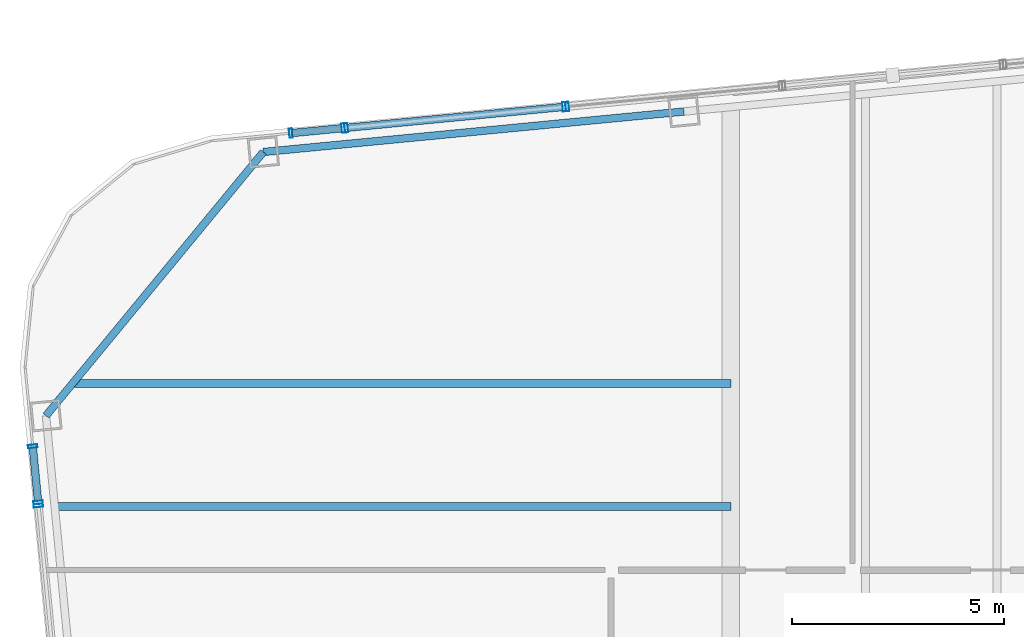
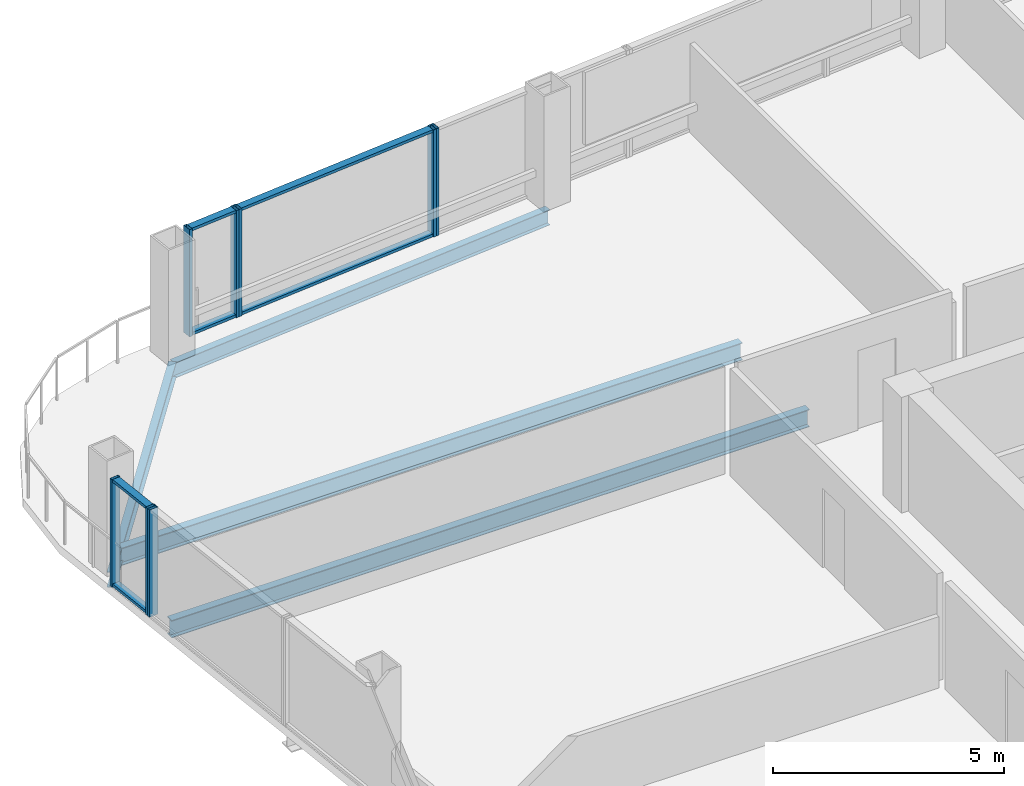
# One storey, part 17 of 29: 14 members, 4 beams, 5 elements without a shape of their own.
"""IFC4 building model written with IfcOpenShell, lengths in metres."""

import ifcopenshell
import ifcopenshell.guid

model = None  # the IFC model being written
_history = None  # IfcOwnerHistory: only IFC2X3 demands one
_inside = {}  # id of a spatial element -> (the spatial element, [elements in it])
_under = {}  # id of a project, library or spatial element -> (it, [spatial elements below it])
_declared = {}  # id of a project -> (the project, [libraries it declares])
_typed = {}  # id of a type object -> (the type object, [elements of that type])
_made_of = {}  # id of a material, layer set ... -> (it, [elements and type objects made of it])


def new_model(schema):
    """Start an empty IFC model of exactly this schema.

    Asked for "IFC4X3", IfcOpenShell would pick the latest addendum, in which some entities
    have other attributes; the version numbers below select the first issue.
    IFC2X3 requires an IfcOwnerHistory on every rooted entity: one is made here for all.
    """
    global model, _history
    if schema == "IFC4X3":
        model = ifcopenshell.file(schema_version=(4, 3, 0, 0))
    else:
        model = ifcopenshell.file(schema=schema)
    _inside.clear()
    _under.clear()
    _declared.clear()
    _typed.clear()
    _made_of.clear()
    _history = None
    if model.schema == "IFC2X3":
        org = make("IfcOrganization", Name="unknown")
        user = make(
            "IfcPersonAndOrganization",
            ThePerson=make("IfcPerson", FamilyName="unknown"),
            TheOrganization=org,
        )
        app = make(
            "IfcApplication",
            ApplicationDeveloper=org,
            Version="unknown",
            ApplicationFullName="unknown",
            ApplicationIdentifier="unknown",
        )
        _history = make(
            "IfcOwnerHistory",
            OwningUser=user,
            OwningApplication=app,
            ChangeAction="ADDED",
            CreationDate=0,
        )
    return model


def make(cls, **values):
    """One entity of the class cls with the attributes given. An attribute that is None is left unset."""
    return model.create_entity(
        cls, **{name: value for name, value in values.items() if value is not None}
    )


def rooted(cls, **values):
    """An entity with a GlobalId (a new one), such as an element, a storey or a relation."""
    return make(cls, GlobalId=ifcopenshell.guid.new(), OwnerHistory=_history, **values)


def si_unit(unit_type, name, prefix=None):
    """IfcSIUnit, for example si_unit("LENGTHUNIT", "METRE", prefix="MILLI")."""
    return make("IfcSIUnit", UnitType=unit_type, Prefix=prefix, Name=name)


def assignment(units):
    """IfcUnitAssignment: the units of a project."""
    return None if units is None else make("IfcUnitAssignment", Units=units)


def point(xyz):
    """IfcCartesianPoint."""
    return None if xyz is None else make("IfcCartesianPoint", Coordinates=xyz)


def direction(xyz):
    """IfcDirection."""
    return None if xyz is None else make("IfcDirection", DirectionRatios=xyz)


def frame(location, z_axis=None, x_axis=None):
    """IfcAxis2Placement3D, a coordinate frame: its origin and axes. An axis left out is left unset."""
    return make(
        "IfcAxis2Placement3D",
        Location=point(location),
        Axis=direction(z_axis),
        RefDirection=direction(x_axis),
    )


def frame_2d(location, x_axis=None):
    """IfcAxis2Placement2D, a coordinate frame in the plane: its origin and x axis."""
    return make(
        "IfcAxis2Placement2D", Location=point(location), RefDirection=direction(x_axis)
    )


def origin():
    """The frame at (0, 0, 0) with its axes left unset."""
    return frame((0.0, 0.0, 0.0))


def origin_2d():
    """The frame at (0, 0) in the plane with its x axis left unset."""
    return frame_2d((0.0, 0.0))


def place(relative_to, where):
    """IfcLocalPlacement: puts the frame where relative to a parent placement (None: the world)."""
    return make(
        "IfcLocalPlacement", PlacementRelTo=relative_to, RelativePlacement=where
    )


def context(
    kind, dimensions, precision=None, world=None, true_north=None, identifier=None
):
    """IfcGeometricRepresentationContext, for example the 3D "Model" context."""
    return make(
        "IfcGeometricRepresentationContext",
        ContextIdentifier=identifier,
        ContextType=kind,
        CoordinateSpaceDimension=dimensions,
        Precision=precision,
        WorldCoordinateSystem=world,
        TrueNorth=true_north,
    )


def subcontext(parent, identifier, kind, view, scale=None):
    """IfcGeometricRepresentationSubContext, for example "Body" below "Model"."""
    return make(
        "IfcGeometricRepresentationSubContext",
        ContextIdentifier=identifier,
        ContextType=kind,
        ParentContext=parent,
        TargetScale=scale,
        TargetView=view,
    )


def project(units=None, contexts=None):
    """IfcProject with its units and contexts."""
    return rooted(
        "IfcProject",
        Name="project",
        RepresentationContexts=contexts,
        UnitsInContext=assignment(units),
    )


def spatial(cls, under=None, at=None, **own):
    """A site, building, storey or space (cls), placed at a placement, below another one or the project."""
    s = rooted(cls, ObjectPlacement=at, **own)
    if under is not None:
        _under.setdefault(under.id(), (under, []))[1].append(s)
    return s


def profile(cls, at=None, kind="AREA", **sizes):
    """A parametric profile (cls). Its sizes go by their IFC names, for example OverallWidth=200.0."""
    return make(cls, ProfileType=kind, Position=at, **sizes)


def hollow_rectangle(**sizes):
    """IfcRectangleHollowProfileDef."""
    return profile("IfcRectangleHollowProfileDef", **sizes)


def i_section(**sizes):
    """IfcIShapeProfileDef."""
    return profile("IfcIShapeProfileDef", **sizes)


def extrude(swept, where, along, depth):
    """IfcExtrudedAreaSolid: the profile swept, set in the frame where, extruded along a direction by depth."""
    return make(
        "IfcExtrudedAreaSolid",
        SweptArea=swept,
        Position=where,
        ExtrudedDirection=direction(along),
        Depth=depth,
    )


def shape(context_of_items, identifier, shape_type, items):
    """IfcShapeRepresentation: the items that make up one representation, for example the "Body"."""
    return make(
        "IfcShapeRepresentation",
        ContextOfItems=context_of_items,
        RepresentationIdentifier=identifier,
        RepresentationType=shape_type,
        Items=items,
    )


def material(Name=None, Category=None):
    """IfcMaterial."""
    return make("IfcMaterial", Name=Name, Category=Category)


def layer(
    of_material, thickness, ventilated=None, Name=None, Category=None, Priority=None
):
    """IfcMaterialLayer: one layer of a wall or slab, of a material (None: an air gap)."""
    return make(
        "IfcMaterialLayer",
        Material=of_material,
        LayerThickness=thickness,
        IsVentilated=ventilated,
        Name=Name,
        Category=Category,
        Priority=Priority,
    )


def layer_set(layers, Name=None):
    """IfcMaterialLayerSet."""
    return make("IfcMaterialLayerSet", MaterialLayers=layers, LayerSetName=Name)


def material_profile(
    of_material, cross_section, Name=None, Category=None, Priority=None
):
    """IfcMaterialProfile: a cross section and its material."""
    return make(
        "IfcMaterialProfile",
        Name=Name,
        Material=of_material,
        Profile=cross_section,
        Priority=Priority,
        Category=Category,
    )


def profile_set(profiles, Name=None, composite=None):
    """IfcMaterialProfileSet."""
    return make(
        "IfcMaterialProfileSet",
        Name=Name,
        MaterialProfiles=profiles,
        CompositeProfile=composite,
    )


def made_of(thing, what):
    """Note that an element or type object is made of a material, layer set ...; save() writes the relation."""
    if what is not None:
        _made_of.setdefault(what.id(), (what, []))[1].append(thing)
    return thing


def type_object(cls, material=None, **own):
    """A type object (cls), such as IfcWallType, which elements share."""
    return made_of(rooted(cls, **own), material)


def element(
    cls,
    number,
    at=None,
    inside=None,
    cuts=None,
    type_object=None,
    material=None,
    context=None,
    identifier="Body",
    shape_type=None,
    held_by="IfcProductDefinitionShape",
    body=None,
    shapes=None,
    **own,
):
    """One element of the class cls, such as IfcWall. Its Tag is "e" and its number.

    at: its placement. inside: the storey or other place that contains it. cuts: it is an
    opening in that element (IfcRelVoidsElement). A single representation is given by context,
    identifier, shape_type and body (its items); several are given by shapes. held_by: the class
    of the entity that holds the representations. save() writes the other relations.
    """
    e = rooted(cls, Tag="e%d" % number, ObjectPlacement=at, **own)
    if body is not None:
        shapes = [shape(context, identifier, shape_type, body)]
    if shapes is not None:
        e.Representation = make(held_by, Representations=shapes)
    if inside is not None:
        _inside.setdefault(inside.id(), (inside, []))[1].append(e)
    if cuts is not None:
        rooted(
            "IfcRelVoidsElement", RelatingBuildingElement=cuts, RelatedOpeningElement=e
        )
    if type_object is not None:
        _typed.setdefault(type_object.id(), (type_object, []))[1].append(e)
    return made_of(e, material)


def aggregate(whole, parts):
    """IfcRelAggregates: a whole, such as a stair, and the parts it consists of."""
    return rooted("IfcRelAggregates", RelatingObject=whole, RelatedObjects=parts)


def save(model, path):
    """Write the relations noted so far, then the file.

    IfcRelAggregates (storeys below a building ...), IfcRelContainedInSpatialStructure (elements
    in a storey), IfcRelDefinesByType, IfcRelAssociatesMaterial and IfcRelDeclares: one each for
    every whole, place, type object, material and project.
    """
    for whole, parts in _under.values():
        aggregate(whole, parts)
    for where, things in _inside.values():
        rooted(
            "IfcRelContainedInSpatialStructure",
            RelatedElements=things,
            RelatingStructure=where,
        )
    for kind, things in _typed.values():
        rooted("IfcRelDefinesByType", RelatedObjects=things, RelatingType=kind)
    for what, things in _made_of.values():
        rooted("IfcRelAssociatesMaterial", RelatedObjects=things, RelatingMaterial=what)
    for by, libraries in _declared.values():
        rooted("IfcRelDeclares", RelatingContext=by, RelatedDefinitions=libraries)
    model.write(path)


model = new_model("IFC4")

# Units and contexts
model_context = context("Model", 3, precision=1e-05, world=origin(), true_north=direction((0.0, 1.0)))
body_context = subcontext(model_context, "Body", "Model", "MODEL_VIEW")
ifc_project = project(units=[si_unit("LENGTHUNIT", "METRE"), si_unit("AREAUNIT", "SQUARE_METRE"), si_unit("VOLUMEUNIT", "CUBIC_METRE"), si_unit("PLANEANGLEUNIT", "RADIAN"), si_unit("MASSUNIT", "GRAM", prefix="KILO")], contexts=[model_context])

# Site, building, storey
site_placement = place(None, origin())
site = spatial("IfcSite", under=ifc_project, at=site_placement, CompositionType="ELEMENT")
building_placement = place(site_placement, origin())
building = spatial("IfcBuilding", under=site, at=building_placement, Name="Qhalaya Broadcast Tower", CompositionType="ELEMENT")
storey_placement = place(building_placement, frame((0.0, 0.0, 177.5)))
storey = spatial("IfcBuildingStorey", under=building, at=storey_placement, Name="L52", CompositionType="ELEMENT", Elevation=177.5)

# Beams
ifc_material_1 = material(Name="Structural Steel ASTM A992 Grade 50", Category="steel")
ifc_material_profile_1 = material_profile(ifc_material_1, i_section(OverallWidth=0.19189453125, OverallDepth=0.462890625, WebThickness=0.010498046875, FlangeThickness=0.017578125, at=origin_2d()), Name="W18X60")
ifc_profile_set_1 = profile_set([ifc_material_profile_1], Name="Structural Steel ASTM A992 Grade 50")
beam_type_1 = type_object("IfcBeamType", Name="Composite Floor Joist J03", PredefinedType="JOIST", material=ifc_profile_set_1)
beam_1_placement = place(storey_placement, frame((-25.301513671875, 14.300048828125, -0.451416015625), z_axis=(1.0, 0.0, 0.0), x_axis=(0.0, 1.0, 0.0)))
element("IfcBeam", 1, at=beam_1_placement, inside=storey, type_object=beam_type_1, Name="L52 J03 L52-JWE6W-1", PredefinedType="JOIST", context=body_context, shape_type="SweptSolid", body=[
    extrude(i_section(OverallWidth=0.19189453125, OverallDepth=0.462890625, WebThickness=0.010498046875, FlangeThickness=0.017578125, at=origin_2d()), origin(), (0.0, 0.0, 1.0), 15.926513671875),
])
beam_2_placement = place(storey_placement, frame((-24.876953125, 17.199951171875, -0.451416015625), z_axis=(1.0, 0.0, 0.0), x_axis=(0.0, 1.0, 0.0)))
element("IfcBeam", 2, at=beam_2_placement, inside=storey, type_object=beam_type_1, Name="L52 J03 L52-JWE7W-1", PredefinedType="JOIST", context=body_context, shape_type="SweptSolid", body=[
    extrude(i_section(OverallWidth=0.19189453125, OverallDepth=0.462890625, WebThickness=0.010498046875, FlangeThickness=0.017578125, at=origin_2d()), origin(), (0.0, 0.0, 1.0), 15.501953125),
])

# Curtain wall, member
ifc_material_2 = material(Name="Solar-Control Low-E Triple Glazing", Category="glass")
ifc_layer_1 = layer(ifc_material_2, 0.219970703125, Name="Solar-Control Low-E Triple Glazing")
ifc_layer_set_1 = layer_set([ifc_layer_1], Name="Solar-Control Low-E Triple Glazing")
curtain_wall_type_1 = type_object("IfcCurtainWallType", Name="Even-Block 4-Storey Double-Module Curtain Wall CW-03", PredefinedType="NOTDEFINED", material=ifc_layer_set_1)
curtain_wall_1_placement = place(storey_placement, origin())
curtain_wall_1 = element("IfcCurtainWall", 3, at=curtain_wall_1_placement, inside=storey, type_object=curtain_wall_type_1, Name="L52 Unitised Curtain Wall L52-CW-N5", PredefinedType="NOTDEFINED")
ifc_material_3 = material(Name="Anodised Aluminium 6063-T6", Category="aluminium")
ifc_material_profile_2 = material_profile(ifc_material_3, hollow_rectangle(XDim=0.074951171875, YDim=0.219970703125, WallThickness=0.00390625, at=origin_2d()), Name="ALU-MUL 75x220x4")
ifc_profile_set_2 = profile_set([ifc_material_profile_2], Name="Anodised Aluminium 6063-T6")
member_type_1 = type_object("IfcMemberType", Name="Unitised Curtain-Wall Mullion M01", PredefinedType="MULLION", material=ifc_profile_set_2)
member_1_placement = place(storey_placement, frame((-13.231689453125, 23.734130859375, 0.0), z_axis=(0.0, 0.0, 1.0), x_axis=(-0.995395950784, -0.095848323733, 0.0)))
member_1 = element("IfcMember", 4, at=member_1_placement, type_object=member_type_1, Name="CW-03 mullion 2", PredefinedType="MULLION", context=body_context, shape_type="SweptSolid", body=[
    extrude(hollow_rectangle(XDim=0.074951171875, YDim=0.219970703125, WallThickness=0.00390625, at=origin_2d()), origin(), (0.0, 0.0, 1.0), 2.830078125),
])
aggregate(curtain_wall_1, [member_1])

# Curtain wall, members
ifc_material_4 = material(Name="Fired Architectural Terracotta", Category="masonry")
ifc_layer_2 = layer(ifc_material_4, 0.219970703125, Name="Fired Architectural Terracotta")
ifc_layer_set_2 = layer_set([ifc_layer_2], Name="Fired Architectural Terracotta")
curtain_wall_type_2 = type_object("IfcCurtainWallType", Name="Block-Cap Unitised Terracotta Spandrel Wall CW-07", PredefinedType="NOTDEFINED", material=ifc_layer_set_2)
curtain_wall_2_placement = place(storey_placement, origin())
curtain_wall_2 = element("IfcCurtainWall", 5, at=curtain_wall_2_placement, inside=storey, type_object=curtain_wall_type_2, Name="L52 Unitised Curtain Wall L52-CW-N6", PredefinedType="NOTDEFINED")
member_2_placement = place(storey_placement, frame((-13.306396484375, 23.726806640625, 0.0), z_axis=(0.0, 0.0, 1.0), x_axis=(-0.995395267059, -0.095855424032, 0.0)))
member_2 = element("IfcMember", 6, at=member_2_placement, type_object=member_type_1, Name="CW-07 mullion 1", PredefinedType="MULLION", context=body_context, shape_type="SweptSolid", body=[
    extrude(hollow_rectangle(XDim=0.074951171875, YDim=0.219970703125, WallThickness=0.00390625, at=origin_2d()), origin(), (0.0, 0.0, 1.0), 2.830078125),
])
member_3_placement = place(storey_placement, frame((-18.443603515625, 23.232177734375, 0.0), z_axis=(0.0, 0.0, 1.0), x_axis=(-0.995395267059, -0.095855424032, 0.0)))
member_3 = element("IfcMember", 7, at=member_3_placement, type_object=member_type_1, Name="CW-07 mullion 2", PredefinedType="MULLION", context=body_context, shape_type="SweptSolid", body=[
    extrude(hollow_rectangle(XDim=0.074951171875, YDim=0.219970703125, WallThickness=0.00390625, at=origin_2d()), origin(), (0.0, 0.0, 1.0), 2.830078125),
])

curtain_wall_3_placement = place(storey_placement, origin())
curtain_wall_3 = element("IfcCurtainWall", 8, at=curtain_wall_3_placement, inside=storey, type_object=curtain_wall_type_1, Name="L52 Unitised Curtain Wall L52-CW-N7", PredefinedType="NOTDEFINED")
member_4_placement = place(storey_placement, frame((-18.518310546875, 23.22509765625, 0.0), z_axis=(0.0, 0.0, 1.0), x_axis=(-0.99539857312, -0.095821086563, 0.0)))
member_4 = element("IfcMember", 9, at=member_4_placement, type_object=member_type_1, Name="CW-03 mullion 1", PredefinedType="MULLION", context=body_context, shape_type="SweptSolid", body=[
    extrude(hollow_rectangle(XDim=0.074951171875, YDim=0.219970703125, WallThickness=0.00390625, at=origin_2d()), origin(), (0.0, 0.0, 1.0), 2.830078125),
])
member_5_placement = place(storey_placement, frame((-19.75244140625, 23.106201171875, 0.0), z_axis=(0.0, 0.0, 1.0), x_axis=(-0.99539857312, -0.095821086563, 0.0)))
member_5 = element("IfcMember", 10, at=member_5_placement, type_object=member_type_1, Name="CW-03 mullion 2", PredefinedType="MULLION", context=body_context, shape_type="SweptSolid", body=[
    extrude(hollow_rectangle(XDim=0.074951171875, YDim=0.219970703125, WallThickness=0.00390625, at=origin_2d()), origin(), (0.0, 0.0, 1.0), 2.830078125),
])

curtain_wall_4_placement = place(storey_placement, origin())
curtain_wall_4 = element("IfcCurtainWall", 11, at=curtain_wall_4_placement, inside=storey, type_object=curtain_wall_type_1, Name="L52 Unitised Curtain Wall L52-CW-W1", PredefinedType="NOTDEFINED")
member_6_placement = place(storey_placement, frame((-25.840087890625, 15.72119140625, 0.0), z_axis=(0.0, 0.0, 1.0), x_axis=(0.095873796301, -0.99539349766, 0.0)))
member_6 = element("IfcMember", 12, at=member_6_placement, type_object=member_type_1, Name="CW-03 mullion 1", PredefinedType="MULLION", context=body_context, shape_type="SweptSolid", body=[
    extrude(hollow_rectangle(XDim=0.074951171875, YDim=0.219970703125, WallThickness=0.00390625, at=origin_2d()), origin(), (0.0, 0.0, 1.0), 2.830078125),
])
member_7_placement = place(storey_placement, frame((-25.712646484375, 14.397216796875, 0.0), z_axis=(0.0, 0.0, 1.0), x_axis=(0.095873796301, -0.99539349766, 0.0)))
member_7 = element("IfcMember", 13, at=member_7_placement, type_object=member_type_1, Name="CW-03 mullion 2", PredefinedType="MULLION", context=body_context, shape_type="SweptSolid", body=[
    extrude(hollow_rectangle(XDim=0.074951171875, YDim=0.219970703125, WallThickness=0.00390625, at=origin_2d()), origin(), (0.0, 0.0, 1.0), 2.830078125),
])

# Curtain wall, member
curtain_wall_5_placement = place(storey_placement, origin())
curtain_wall_5 = element("IfcCurtainWall", 14, at=curtain_wall_5_placement, inside=storey, type_object=curtain_wall_type_2, Name="L52 Unitised Curtain Wall L52-CW-W2", PredefinedType="NOTDEFINED")
member_8_placement = place(storey_placement, frame((-25.70556640625, 14.32275390625, 0.0), z_axis=(0.0, 0.0, 1.0), x_axis=(0.09584506238, -0.99539626482, 0.0)))
member_8 = element("IfcMember", 15, at=member_8_placement, type_object=member_type_1, Name="CW-07 mullion 1", PredefinedType="MULLION", context=body_context, shape_type="SweptSolid", body=[
    extrude(hollow_rectangle(XDim=0.074951171875, YDim=0.219970703125, WallThickness=0.00390625, at=origin_2d()), origin(), (0.0, 0.0, 1.0), 2.830078125),
])
aggregate(curtain_wall_5, [member_8])

# Member
ifc_material_profile_3 = material_profile(ifc_material_3, hollow_rectangle(XDim=0.074951171875, YDim=0.179931640625, WallThickness=0.00390625, at=origin_2d()), Name="ALU-TRN 75x180x4")
ifc_profile_set_3 = profile_set([ifc_material_profile_3], Name="Anodised Aluminium 6063-T6")
member_type_2 = type_object("IfcMemberType", Name="Unitised Curtain-Wall Transom T01", PredefinedType="USERDEFINED", material=ifc_profile_set_3)
member_9_placement = place(storey_placement, frame((-13.34375, 23.723388671875, 0.03759765625), z_axis=(-0.995394593967, -0.095862413395, 0.0), x_axis=(0.0, 0.0, 1.0)))
member_9 = element("IfcMember", 16, at=member_9_placement, type_object=member_type_2, Name="CW-07 transom 1.1", ObjectType="TRANSOM", PredefinedType="USERDEFINED", context=body_context, shape_type="SweptSolid", body=[
    extrude(hollow_rectangle(XDim=0.074951171875, YDim=0.179931640625, WallThickness=0.00390625, at=origin_2d()), origin(), (0.0, 0.0, 1.0), 5.0859375),
])

member_10_placement = place(storey_placement, frame((-13.34375, 23.723388671875, 2.79248046875), z_axis=(-0.995394593967, -0.095862413395, 0.0), x_axis=(0.0, 0.0, 1.0)))
member_10 = element("IfcMember", 17, at=member_10_placement, type_object=member_type_2, Name="CW-07 transom 1.2", ObjectType="TRANSOM", PredefinedType="USERDEFINED", context=body_context, shape_type="SweptSolid", body=[
    extrude(hollow_rectangle(XDim=0.074951171875, YDim=0.179931640625, WallThickness=0.00390625, at=origin_2d()), origin(), (0.0, 0.0, 1.0), 5.0859375),
])

aggregate(curtain_wall_2, [member_2, member_3, member_9, member_10])

member_11_placement = place(storey_placement, frame((-18.5556640625, 23.221435546875, 0.03759765625), z_axis=(-0.995401729679, -0.095788290264, 0.0), x_axis=(0.0, 0.0, 1.0)))
member_11 = element("IfcMember", 18, at=member_11_placement, type_object=member_type_2, Name="CW-03 transom 1.1", ObjectType="TRANSOM", PredefinedType="USERDEFINED", context=body_context, shape_type="SweptSolid", body=[
    extrude(hollow_rectangle(XDim=0.074951171875, YDim=0.179931640625, WallThickness=0.00390625, at=origin_2d()), origin(), (0.0, 0.0, 1.0), 1.164794921875),
])

member_12_placement = place(storey_placement, frame((-18.5556640625, 23.221435546875, 2.79248046875), z_axis=(-0.995401729679, -0.095788290264, 0.0), x_axis=(0.0, 0.0, 1.0)))
member_12 = element("IfcMember", 19, at=member_12_placement, type_object=member_type_2, Name="CW-03 transom 1.2", ObjectType="TRANSOM", PredefinedType="USERDEFINED", context=body_context, shape_type="SweptSolid", body=[
    extrude(hollow_rectangle(XDim=0.074951171875, YDim=0.179931640625, WallThickness=0.00390625, at=origin_2d()), origin(), (0.0, 0.0, 1.0), 1.164794921875),
])

aggregate(curtain_wall_3, [member_4, member_5, member_11, member_12])

member_13_placement = place(storey_placement, frame((-25.836669921875, 15.683837890625, 0.03759765625), z_axis=(0.095901442522, -0.995390834458, 0.0), x_axis=(0.0, 0.0, 1.0)))
member_13 = element("IfcMember", 20, at=member_13_placement, type_object=member_type_2, Name="CW-03 transom 1.1", ObjectType="TRANSOM", PredefinedType="USERDEFINED", context=body_context, shape_type="SweptSolid", body=[
    extrude(hollow_rectangle(XDim=0.074951171875, YDim=0.179931640625, WallThickness=0.00390625, at=origin_2d()), origin(), (0.0, 0.0, 1.0), 1.255126953125),
])

member_14_placement = place(storey_placement, frame((-25.836669921875, 15.683837890625, 2.79248046875), z_axis=(0.095901442522, -0.995390834458, 0.0), x_axis=(0.0, 0.0, 1.0)))
member_14 = element("IfcMember", 21, at=member_14_placement, type_object=member_type_2, Name="CW-03 transom 1.2", ObjectType="TRANSOM", PredefinedType="USERDEFINED", context=body_context, shape_type="SweptSolid", body=[
    extrude(hollow_rectangle(XDim=0.074951171875, YDim=0.179931640625, WallThickness=0.00390625, at=origin_2d()), origin(), (0.0, 0.0, 1.0), 1.255126953125),
])

aggregate(curtain_wall_4, [member_6, member_7, member_13, member_14])

# Beams
ifc_material_profile_4 = material_profile(ifc_material_1, i_section(OverallWidth=0.177978515625, OverallDepth=0.406005859375, WebThickness=0.0078125, FlangeThickness=0.0126953125, at=origin_2d()), Name="W16X40")
ifc_profile_set_4 = profile_set([ifc_material_profile_4], Name="Structural Steel ASTM A992 Grade 50")
beam_type_2 = type_object("IfcBeamType", Name="Upper Perimeter Spandrel Beam SP2", PredefinedType="SPANDREL", material=ifc_profile_set_4)
beam_3_placement = place(storey_placement, frame((-10.4794921875, 23.6171875, -0.423095703125), z_axis=(-0.995398071879, -0.095826293365, 0.0), x_axis=(0.095826293365, -0.995398071879, 0.0)))
element("IfcBeam", 22, at=beam_3_placement, inside=storey, type_object=beam_type_2, Name="L52 SP2 L52-SPR-11", PredefinedType="SPANDREL", context=body_context, shape_type="SweptSolid", body=[
    extrude(i_section(OverallWidth=0.177978515625, OverallDepth=0.406005859375, WebThickness=0.0078125, FlangeThickness=0.0126953125, at=origin_2d()), origin(), (0.0, 0.0, 1.0), 9.966796875),
])
beam_4_placement = place(storey_placement, frame((-20.400390625, 22.662109375, -0.423095703125), z_axis=(-0.636070241972, -0.771631160126, 0.0), x_axis=(0.771631160126, -0.636070241972, 0.0)))
element("IfcBeam", 23, at=beam_4_placement, inside=storey, type_object=beam_type_2, Name="L52 SP2 L52-SPR-12", PredefinedType="SPANDREL", context=body_context, shape_type="SweptSolid", body=[
    extrude(i_section(OverallWidth=0.177978515625, OverallDepth=0.406005859375, WebThickness=0.0078125, FlangeThickness=0.0126953125, at=origin_2d()), origin(), (0.0, 0.0, 1.0), 8.06103515625),
])

save(model, "model.ifc")
